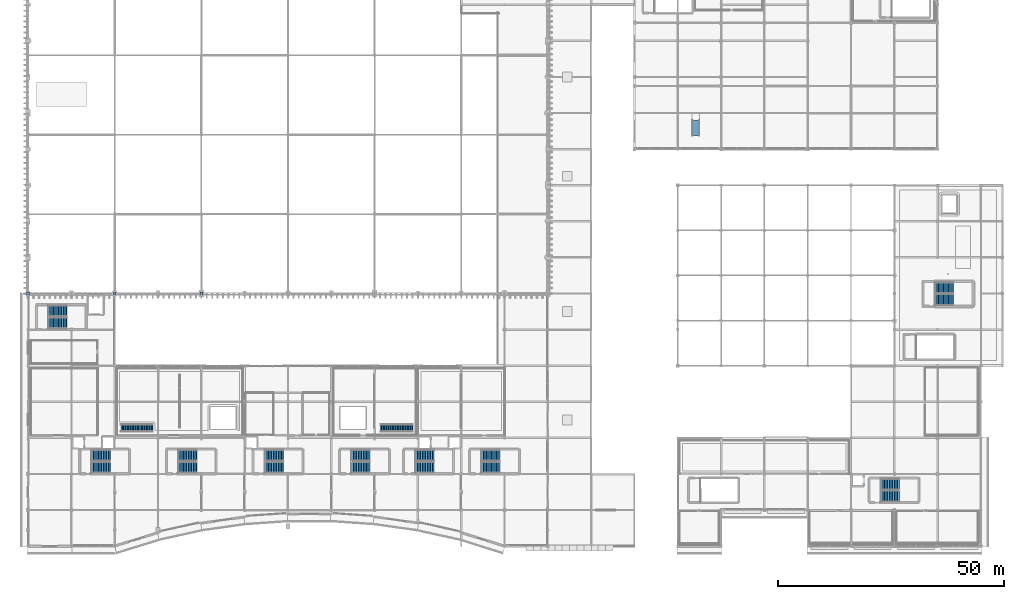
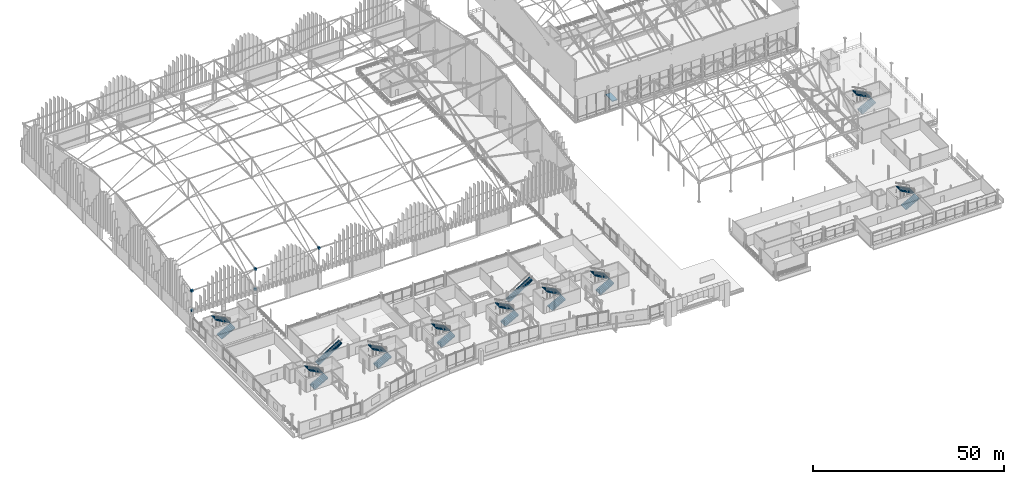
# One storey, part 161 of 193: 20 stair flights, 5 discrete accessories, 1 ramp flight, 12 elements without a shape of their own.
"""IFC4 building model written with IfcOpenShell, lengths in metres."""

import ifcopenshell
import ifcopenshell.guid

model = None  # the IFC model being written
_history = None  # IfcOwnerHistory: only IFC2X3 demands one
_inside = {}  # id of a spatial element -> (the spatial element, [elements in it])
_under = {}  # id of a project, library or spatial element -> (it, [spatial elements below it])
_declared = {}  # id of a project -> (the project, [libraries it declares])
_typed = {}  # id of a type object -> (the type object, [elements of that type])
_made_of = {}  # id of a material, layer set ... -> (it, [elements and type objects made of it])


def new_model(schema):
    """Start an empty IFC model of exactly this schema.

    Asked for "IFC4X3", IfcOpenShell would pick the latest addendum, in which some entities
    have other attributes; the version numbers below select the first issue.
    IFC2X3 requires an IfcOwnerHistory on every rooted entity: one is made here for all.
    """
    global model, _history
    if schema == "IFC4X3":
        model = ifcopenshell.file(schema_version=(4, 3, 0, 0))
    else:
        model = ifcopenshell.file(schema=schema)
    _inside.clear()
    _under.clear()
    _declared.clear()
    _typed.clear()
    _made_of.clear()
    _history = None
    if model.schema == "IFC2X3":
        org = make("IfcOrganization", Name="unknown")
        user = make(
            "IfcPersonAndOrganization",
            ThePerson=make("IfcPerson", FamilyName="unknown"),
            TheOrganization=org,
        )
        app = make(
            "IfcApplication",
            ApplicationDeveloper=org,
            Version="unknown",
            ApplicationFullName="unknown",
            ApplicationIdentifier="unknown",
        )
        _history = make(
            "IfcOwnerHistory",
            OwningUser=user,
            OwningApplication=app,
            ChangeAction="ADDED",
            CreationDate=0,
        )
    return model


def make(cls, **values):
    """One entity of the class cls with the attributes given. An attribute that is None is left unset."""
    return model.create_entity(
        cls, **{name: value for name, value in values.items() if value is not None}
    )


def rooted(cls, **values):
    """An entity with a GlobalId (a new one), such as an element, a storey or a relation."""
    return make(cls, GlobalId=ifcopenshell.guid.new(), OwnerHistory=_history, **values)


def si_unit(unit_type, name, prefix=None):
    """IfcSIUnit, for example si_unit("LENGTHUNIT", "METRE", prefix="MILLI")."""
    return make("IfcSIUnit", UnitType=unit_type, Prefix=prefix, Name=name)


def assignment(units):
    """IfcUnitAssignment: the units of a project."""
    return None if units is None else make("IfcUnitAssignment", Units=units)


def point(xyz):
    """IfcCartesianPoint."""
    return None if xyz is None else make("IfcCartesianPoint", Coordinates=xyz)


def direction(xyz):
    """IfcDirection."""
    return None if xyz is None else make("IfcDirection", DirectionRatios=xyz)


def frame(location, z_axis=None, x_axis=None):
    """IfcAxis2Placement3D, a coordinate frame: its origin and axes. An axis left out is left unset."""
    return make(
        "IfcAxis2Placement3D",
        Location=point(location),
        Axis=direction(z_axis),
        RefDirection=direction(x_axis),
    )


def frame_2d(location, x_axis=None):
    """IfcAxis2Placement2D, a coordinate frame in the plane: its origin and x axis."""
    return make(
        "IfcAxis2Placement2D", Location=point(location), RefDirection=direction(x_axis)
    )


def origin():
    """The frame at (0, 0, 0) with its axes left unset."""
    return frame((0.0, 0.0, 0.0))


def origin_2d():
    """The frame at (0, 0) in the plane with its x axis left unset."""
    return frame_2d((0.0, 0.0))


def place(relative_to, where):
    """IfcLocalPlacement: puts the frame where relative to a parent placement (None: the world)."""
    return make(
        "IfcLocalPlacement", PlacementRelTo=relative_to, RelativePlacement=where
    )


def context(
    kind, dimensions, precision=None, world=None, true_north=None, identifier=None
):
    """IfcGeometricRepresentationContext, for example the 3D "Model" context."""
    return make(
        "IfcGeometricRepresentationContext",
        ContextIdentifier=identifier,
        ContextType=kind,
        CoordinateSpaceDimension=dimensions,
        Precision=precision,
        WorldCoordinateSystem=world,
        TrueNorth=true_north,
    )


def subcontext(parent, identifier, kind, view, scale=None):
    """IfcGeometricRepresentationSubContext, for example "Body" below "Model"."""
    return make(
        "IfcGeometricRepresentationSubContext",
        ContextIdentifier=identifier,
        ContextType=kind,
        ParentContext=parent,
        TargetScale=scale,
        TargetView=view,
    )


def project(units=None, contexts=None):
    """IfcProject with its units and contexts."""
    return rooted(
        "IfcProject",
        Name="project",
        RepresentationContexts=contexts,
        UnitsInContext=assignment(units),
    )


def spatial(cls, under=None, at=None, **own):
    """A site, building, storey or space (cls), placed at a placement, below another one or the project."""
    s = rooted(cls, ObjectPlacement=at, **own)
    if under is not None:
        _under.setdefault(under.id(), (under, []))[1].append(s)
    return s


def polyline(points):
    """IfcPolyline through the points."""
    return make("IfcPolyline", Points=[point(p) for p in points])


def profile(cls, at=None, kind="AREA", **sizes):
    """A parametric profile (cls). Its sizes go by their IFC names, for example OverallWidth=200.0."""
    return make(cls, ProfileType=kind, Position=at, **sizes)


def rectangle(**sizes):
    """IfcRectangleProfileDef."""
    return profile("IfcRectangleProfileDef", **sizes)


def outline(outer, holes=None, kind="AREA"):
    """IfcArbitraryClosedProfileDef: a profile drawn as a closed curve; with holes, ...WithVoids."""
    if holes is None:
        return make("IfcArbitraryClosedProfileDef", ProfileType=kind, OuterCurve=outer)
    return make(
        "IfcArbitraryProfileDefWithVoids",
        ProfileType=kind,
        OuterCurve=outer,
        InnerCurves=holes,
    )


def extrude(swept, where, along, depth):
    """IfcExtrudedAreaSolid: the profile swept, set in the frame where, extruded along a direction by depth."""
    return make(
        "IfcExtrudedAreaSolid",
        SweptArea=swept,
        Position=where,
        ExtrudedDirection=direction(along),
        Depth=depth,
    )


def shape(context_of_items, identifier, shape_type, items):
    """IfcShapeRepresentation: the items that make up one representation, for example the "Body"."""
    return make(
        "IfcShapeRepresentation",
        ContextOfItems=context_of_items,
        RepresentationIdentifier=identifier,
        RepresentationType=shape_type,
        Items=items,
    )


def material(Name=None, Category=None):
    """IfcMaterial."""
    return make("IfcMaterial", Name=Name, Category=Category)


def made_of(thing, what):
    """Note that an element or type object is made of a material, layer set ...; save() writes the relation."""
    if what is not None:
        _made_of.setdefault(what.id(), (what, []))[1].append(thing)
    return thing


def type_object(cls, material=None, **own):
    """A type object (cls), such as IfcWallType, which elements share."""
    return made_of(rooted(cls, **own), material)


def element(
    cls,
    number,
    at=None,
    inside=None,
    cuts=None,
    type_object=None,
    material=None,
    context=None,
    identifier="Body",
    shape_type=None,
    held_by="IfcProductDefinitionShape",
    body=None,
    shapes=None,
    **own,
):
    """One element of the class cls, such as IfcWall. Its Tag is "e" and its number.

    at: its placement. inside: the storey or other place that contains it. cuts: it is an
    opening in that element (IfcRelVoidsElement). A single representation is given by context,
    identifier, shape_type and body (its items); several are given by shapes. held_by: the class
    of the entity that holds the representations. save() writes the other relations.
    """
    e = rooted(cls, Tag="e%d" % number, ObjectPlacement=at, **own)
    if body is not None:
        shapes = [shape(context, identifier, shape_type, body)]
    if shapes is not None:
        e.Representation = make(held_by, Representations=shapes)
    if inside is not None:
        _inside.setdefault(inside.id(), (inside, []))[1].append(e)
    if cuts is not None:
        rooted(
            "IfcRelVoidsElement", RelatingBuildingElement=cuts, RelatedOpeningElement=e
        )
    if type_object is not None:
        _typed.setdefault(type_object.id(), (type_object, []))[1].append(e)
    return made_of(e, material)


def aggregate(whole, parts):
    """IfcRelAggregates: a whole, such as a stair, and the parts it consists of."""
    return rooted("IfcRelAggregates", RelatingObject=whole, RelatedObjects=parts)


def save(model, path):
    """Write the relations noted so far, then the file.

    IfcRelAggregates (storeys below a building ...), IfcRelContainedInSpatialStructure (elements
    in a storey), IfcRelDefinesByType, IfcRelAssociatesMaterial and IfcRelDeclares: one each for
    every whole, place, type object, material and project.
    """
    for whole, parts in _under.values():
        aggregate(whole, parts)
    for where, things in _inside.values():
        rooted(
            "IfcRelContainedInSpatialStructure",
            RelatedElements=things,
            RelatingStructure=where,
        )
    for kind, things in _typed.values():
        rooted("IfcRelDefinesByType", RelatedObjects=things, RelatingType=kind)
    for what, things in _made_of.values():
        rooted("IfcRelAssociatesMaterial", RelatedObjects=things, RelatingMaterial=what)
    for by, libraries in _declared.values():
        rooted("IfcRelDeclares", RelatingContext=by, RelatedDefinitions=libraries)
    model.write(path)


model = new_model("IFC4")

# Units and contexts
model_context = context("Model", 3, precision=1e-05, world=origin(), true_north=direction((0.0, 1.0)))
body_context = subcontext(model_context, "Body", "Model", "MODEL_VIEW")
ifc_project = project(units=[si_unit("LENGTHUNIT", "METRE"), si_unit("AREAUNIT", "SQUARE_METRE"), si_unit("VOLUMEUNIT", "CUBIC_METRE"), si_unit("PLANEANGLEUNIT", "RADIAN"), si_unit("MASSUNIT", "GRAM", prefix="KILO")], contexts=[model_context])

# Site, building, storey
site_placement = place(None, origin())
site = spatial("IfcSite", under=ifc_project, at=site_placement, CompositionType="ELEMENT")
building_placement = place(site_placement, origin())
building = spatial("IfcBuilding", under=site, at=building_placement, Name="Danafjord Basin Convention Centre", CompositionType="ELEMENT")
storey_placement = place(building_placement, frame((0.0, 0.0, 11.39990234375)))
storey = spatial("IfcBuildingStorey", under=building, at=storey_placement, Name="L02", CompositionType="ELEMENT", Elevation=11.39990234375)

# Stair, stair flights
ifc_material_1 = material(Name="Concrete C40/50", Category="concrete")
stair_type_1 = type_object("IfcStairType", Name="STAIR-STR-C01", PredefinedType="TWO_STRAIGHT_RUN_STAIR", material=ifc_material_1)
stair_1_placement = place(storey_placement, origin())
stair_1 = element("IfcStair", 1, at=stair_1_placement, inside=storey, type_object=stair_type_1, Name="L02 West Harbour Core Stair 1", PredefinedType="HALF_TURN_STAIR")
ifc_material_2 = material(Name="Precast concrete C40/50", Category="concrete")
stair_flight_type = type_object("IfcStairFlightType", Name="SFLT-STD", PredefinedType="STRAIGHT", material=ifc_material_2)
stair_flight_1_placement = place(storey_placement, frame((14.1298828125, 17.4599609375, 0.0), z_axis=(0.0, 0.0, 1.0), x_axis=(1.0, 0.0, 0.0)))
stair_flight_1 = element("IfcStairFlight", 2, at=stair_flight_1_placement, type_object=stair_flight_type, Name="ST-01 flight 1", NumberOfRisers=12, NumberOfTreads=11, PredefinedType="STRAIGHT", RiserHeight=0.1875, TreadLength=0.365, context=body_context, shape_type="SweptSolid", body=[
    extrude(outline(polyline([(-0.06494140625, -0.14990234375), (-0.06494140625, -0.00390625), (0.0, -0.00390625), (0.0, 0.1875), (0.364990234375, 0.1875), (0.364990234375, 0.375), (0.72998046875, 0.375), (0.72998046875, 0.5625), (1.094970703125, 0.5625), (1.094970703125, 0.75), (1.4599609375, 0.75), (1.4599609375, 0.9375), (1.824951171875, 0.9375), (1.824951171875, 1.125), (2.18994140625, 1.125), (2.18994140625, 1.3125), (2.554931640625, 1.3125), (2.554931640625, 1.5), (2.919921875, 1.5), (2.919921875, 1.6875), (3.284912109375, 1.6875), (3.284912109375, 1.875), (3.64990234375, 1.875), (3.64990234375, 2.0625), (4.014892578125, 2.0625), (4.014892578125, 2.25), (4.080078125, 2.24609375), (4.080078125, 1.89404296875), (0.328125, -0.14990234375), (-0.06494140625, -0.14990234375)])), frame((0.0, 1.25, 0.0), z_axis=(0.0, -1.0, 0.0), x_axis=(1.0, 0.0, 0.0)), (0.0, 0.0, 1.0), 2.5),
])
stair_flight_2_placement = place(storey_placement, frame((18.14501953125, 20.10009765625, 2.25), z_axis=(0.0, 0.0, 1.0), x_axis=(-1.0, 0.0, 0.0)))
stair_flight_2 = element("IfcStairFlight", 3, at=stair_flight_2_placement, type_object=stair_flight_type, Name="ST-01 flight 2", NumberOfRisers=12, NumberOfTreads=11, PredefinedType="STRAIGHT", RiserHeight=0.1875, TreadLength=0.365, context=body_context, shape_type="SweptSolid", body=[
    extrude(outline(polyline([(-0.06494140625, -0.14990234375), (-0.06494140625, -0.00390625), (0.0, -0.00390625), (0.0, 0.1875), (0.364990234375, 0.1875), (0.364990234375, 0.375), (0.72998046875, 0.375), (0.72998046875, 0.5625), (1.094970703125, 0.5625), (1.094970703125, 0.75), (1.4599609375, 0.75), (1.4599609375, 0.9375), (1.824951171875, 0.9375), (1.824951171875, 1.125), (2.18994140625, 1.125), (2.18994140625, 1.3125), (2.554931640625, 1.3125), (2.554931640625, 1.5), (2.919921875, 1.5), (2.919921875, 1.6875), (3.284912109375, 1.6875), (3.284912109375, 1.875), (3.64990234375, 1.875), (3.64990234375, 2.0625), (4.014892578125, 2.0625), (4.014892578125, 2.25), (4.080078125, 2.24609375), (4.080078125, 1.89404296875), (0.328125, -0.14990234375), (-0.06494140625, -0.14990234375)])), frame((0.0, 1.25, 0.0), z_axis=(0.0, -1.0, 0.0), x_axis=(1.0, 0.0, 0.0)), (0.0, 0.0, 1.0), 2.5),
])
aggregate(stair_1, [stair_flight_1, stair_flight_2])

stair_2_placement = place(storey_placement, origin())
stair_2 = element("IfcStair", 4, at=stair_2_placement, inside=storey, type_object=stair_type_1, Name="L02 Central Harbour Core Stair 1", PredefinedType="HALF_TURN_STAIR")
stair_flight_3_placement = place(storey_placement, frame((85.929931640625, 17.4599609375, 0.0), z_axis=(0.0, 0.0, 1.0), x_axis=(1.0, 0.0, 0.0)))
stair_flight_3 = element("IfcStairFlight", 5, at=stair_flight_3_placement, type_object=stair_flight_type, Name="ST-03 flight 1", NumberOfRisers=12, NumberOfTreads=11, PredefinedType="STRAIGHT", RiserHeight=0.1875, TreadLength=0.365, context=body_context, shape_type="SweptSolid", body=[
    extrude(outline(polyline([(-0.06494140625, -0.14990234375), (-0.06494140625, -0.00390625), (0.0, -0.00390625), (0.0, 0.1875), (0.364990234375, 0.1875), (0.364990234375, 0.375), (0.72998046875, 0.375), (0.72998046875, 0.5625), (1.094970703125, 0.5625), (1.094970703125, 0.75), (1.4599609375, 0.75), (1.4599609375, 0.9375), (1.824951171875, 0.9375), (1.824951171875, 1.125), (2.18994140625, 1.125), (2.18994140625, 1.3125), (2.554931640625, 1.3125), (2.554931640625, 1.5), (2.919921875, 1.5), (2.919921875, 1.6875), (3.284912109375, 1.6875), (3.284912109375, 1.875), (3.64990234375, 1.875), (3.64990234375, 2.0625), (4.014892578125, 2.0625), (4.014892578125, 2.25), (4.080078125, 2.24609375), (4.080078125, 1.89404296875), (0.328125, -0.14990234375), (-0.06494140625, -0.14990234375)])), frame((0.0, 1.25, 0.0), z_axis=(0.0, -1.0, 0.0), x_axis=(1.0, 0.0, 0.0)), (0.0, 0.0, 1.0), 2.5),
])
stair_flight_4_placement = place(storey_placement, frame((89.945068359375, 20.10009765625, 2.25), z_axis=(0.0, 0.0, 1.0), x_axis=(-1.0, 0.0, 0.0)))
stair_flight_4 = element("IfcStairFlight", 6, at=stair_flight_4_placement, type_object=stair_flight_type, Name="ST-03 flight 2", NumberOfRisers=12, NumberOfTreads=11, PredefinedType="STRAIGHT", RiserHeight=0.1875, TreadLength=0.365, context=body_context, shape_type="SweptSolid", body=[
    extrude(outline(polyline([(-0.06494140625, -0.14990234375), (-0.06494140625, -0.00390625), (0.0, -0.00390625), (0.0, 0.1875), (0.364990234375, 0.1875), (0.364990234375, 0.375), (0.72998046875, 0.375), (0.72998046875, 0.5625), (1.094970703125, 0.5625), (1.094970703125, 0.75), (1.4599609375, 0.75), (1.4599609375, 0.9375), (1.824951171875, 0.9375), (1.824951171875, 1.125), (2.18994140625, 1.125), (2.18994140625, 1.3125), (2.554931640625, 1.3125), (2.554931640625, 1.5), (2.919921875, 1.5), (2.919921875, 1.6875), (3.284912109375, 1.6875), (3.284912109375, 1.875), (3.64990234375, 1.875), (3.64990234375, 2.0625), (4.014892578125, 2.0625), (4.014892578125, 2.25), (4.080078125, 2.24609375), (4.080078125, 1.89404296875), (0.328125, -0.14990234375), (-0.06494140625, -0.14990234375)])), frame((0.0, 1.25, 0.0), z_axis=(0.0, -1.0, 0.0), x_axis=(1.0, 0.0, 0.0)), (0.0, 0.0, 1.0), 2.5),
])
aggregate(stair_2, [stair_flight_3, stair_flight_4])

stair_3_placement = place(storey_placement, origin())
stair_3 = element("IfcStair", 7, at=stair_3_placement, inside=storey, type_object=stair_type_1, Name="L02 Mid-Arc Meeting Core Stair 1", PredefinedType="HALF_TURN_STAIR")
stair_flight_5_placement = place(storey_placement, frame((52.530029296875, 17.4599609375, 0.0), z_axis=(0.0, 0.0, 1.0), x_axis=(1.0, 0.0, 0.0)))
stair_flight_5 = element("IfcStairFlight", 8, at=stair_flight_5_placement, type_object=stair_flight_type, Name="ST-05 flight 1", NumberOfRisers=12, NumberOfTreads=11, PredefinedType="STRAIGHT", RiserHeight=0.1875, TreadLength=0.365, context=body_context, shape_type="SweptSolid", body=[
    extrude(outline(polyline([(-0.06494140625, -0.14990234375), (-0.06494140625, -0.00390625), (0.0, -0.00390625), (0.0, 0.1875), (0.364990234375, 0.1875), (0.364990234375, 0.375), (0.72998046875, 0.375), (0.72998046875, 0.5625), (1.094970703125, 0.5625), (1.094970703125, 0.75), (1.4599609375, 0.75), (1.4599609375, 0.9375), (1.824951171875, 0.9375), (1.824951171875, 1.125), (2.18994140625, 1.125), (2.18994140625, 1.3125), (2.554931640625, 1.3125), (2.554931640625, 1.5), (2.919921875, 1.5), (2.919921875, 1.6875), (3.284912109375, 1.6875), (3.284912109375, 1.875), (3.64990234375, 1.875), (3.64990234375, 2.0625), (4.014892578125, 2.0625), (4.014892578125, 2.25), (4.080078125, 2.24609375), (4.080078125, 1.89404296875), (0.328125, -0.14990234375), (-0.06494140625, -0.14990234375)])), frame((0.0, 1.25, 0.0), z_axis=(0.0, -1.0, 0.0), x_axis=(1.0, 0.0, 0.0)), (0.0, 0.0, 1.0), 2.5),
])
stair_flight_6_placement = place(storey_placement, frame((56.544921875, 20.10009765625, 2.25), z_axis=(0.0, 0.0, 1.0), x_axis=(-1.0, 0.0, 0.0)))
stair_flight_6 = element("IfcStairFlight", 9, at=stair_flight_6_placement, type_object=stair_flight_type, Name="ST-05 flight 2", NumberOfRisers=12, NumberOfTreads=11, PredefinedType="STRAIGHT", RiserHeight=0.1875, TreadLength=0.365, context=body_context, shape_type="SweptSolid", body=[
    extrude(outline(polyline([(-0.06494140625, -0.14990234375), (-0.06494140625, -0.00390625), (0.0, -0.00390625), (0.0, 0.1875), (0.364990234375, 0.1875), (0.364990234375, 0.375), (0.72998046875, 0.375), (0.72998046875, 0.5625), (1.094970703125, 0.5625), (1.094970703125, 0.75), (1.4599609375, 0.75), (1.4599609375, 0.9375), (1.824951171875, 0.9375), (1.824951171875, 1.125), (2.18994140625, 1.125), (2.18994140625, 1.3125), (2.554931640625, 1.3125), (2.554931640625, 1.5), (2.919921875, 1.5), (2.919921875, 1.6875), (3.284912109375, 1.6875), (3.284912109375, 1.875), (3.64990234375, 1.875), (3.64990234375, 2.0625), (4.014892578125, 2.0625), (4.014892578125, 2.25), (4.080078125, 2.24609375), (4.080078125, 1.89404296875), (0.328125, -0.14990234375), (-0.06494140625, -0.14990234375)])), frame((0.0, 1.25, 0.0), z_axis=(0.0, -1.0, 0.0), x_axis=(1.0, 0.0, 0.0)), (0.0, 0.0, 1.0), 2.5),
])
aggregate(stair_3, [stair_flight_5, stair_flight_6])

stair_4_placement = place(storey_placement, origin())
stair_4 = element("IfcStair", 10, at=stair_4_placement, inside=storey, type_object=stair_type_1, Name="L02 West Exhibition Core Stair 1", PredefinedType="HALF_TURN_STAIR")
stair_flight_7_placement = place(storey_placement, frame((4.530029296875, 49.4599609375, 0.0), z_axis=(0.0, 0.0, 1.0), x_axis=(1.0, 0.0, 0.0)))
stair_flight_7 = element("IfcStairFlight", 11, at=stair_flight_7_placement, type_object=stair_flight_type, Name="ST-07 flight 1", NumberOfRisers=12, NumberOfTreads=11, PredefinedType="STRAIGHT", RiserHeight=0.1875, TreadLength=0.365, context=body_context, shape_type="SweptSolid", body=[
    extrude(outline(polyline([(-0.06494140625, -0.14990234375), (-0.06494140625, -0.00390625), (0.0, -0.00390625), (0.0, 0.1875), (0.364990234375, 0.1875), (0.364990234375, 0.375), (0.72998046875, 0.375), (0.72998046875, 0.5625), (1.094970703125, 0.5625), (1.094970703125, 0.75), (1.4599609375, 0.75), (1.4599609375, 0.9375), (1.824951171875, 0.9375), (1.824951171875, 1.125), (2.18994140625, 1.125), (2.18994140625, 1.3125), (2.554931640625, 1.3125), (2.554931640625, 1.5), (2.919921875, 1.5), (2.919921875, 1.6875), (3.284912109375, 1.6875), (3.284912109375, 1.875), (3.64990234375, 1.875), (3.64990234375, 2.0625), (4.014892578125, 2.0625), (4.014892578125, 2.25), (4.080078125, 2.24609375), (4.080078125, 1.89404296875), (0.328125, -0.14990234375), (-0.06494140625, -0.14990234375)])), frame((0.0, 1.25, 0.0), z_axis=(0.0, -1.0, 0.0), x_axis=(1.0, 0.0, 0.0)), (0.0, 0.0, 1.0), 2.5),
])
stair_flight_8_placement = place(storey_placement, frame((8.544921875, 52.10009765625, 2.25), z_axis=(0.0, 0.0, 1.0), x_axis=(-1.0, 0.0, 0.0)))
stair_flight_8 = element("IfcStairFlight", 12, at=stair_flight_8_placement, type_object=stair_flight_type, Name="ST-07 flight 2", NumberOfRisers=12, NumberOfTreads=11, PredefinedType="STRAIGHT", RiserHeight=0.1875, TreadLength=0.365, context=body_context, shape_type="SweptSolid", body=[
    extrude(outline(polyline([(-0.06494140625, -0.14990234375), (-0.06494140625, -0.00390625), (0.0, -0.00390625), (0.0, 0.1875), (0.364990234375, 0.1875), (0.364990234375, 0.375), (0.72998046875, 0.375), (0.72998046875, 0.5625), (1.094970703125, 0.5625), (1.094970703125, 0.75), (1.4599609375, 0.75), (1.4599609375, 0.9375), (1.824951171875, 0.9375), (1.824951171875, 1.125), (2.18994140625, 1.125), (2.18994140625, 1.3125), (2.554931640625, 1.3125), (2.554931640625, 1.5), (2.919921875, 1.5), (2.919921875, 1.6875), (3.284912109375, 1.6875), (3.284912109375, 1.875), (3.64990234375, 1.875), (3.64990234375, 2.0625), (4.014892578125, 2.0625), (4.014892578125, 2.25), (4.080078125, 2.24609375), (4.080078125, 1.89404296875), (0.328125, -0.14990234375), (-0.06494140625, -0.14990234375)])), frame((0.0, 1.25, 0.0), z_axis=(0.0, -1.0, 0.0), x_axis=(1.0, 0.0, 0.0)), (0.0, 0.0, 1.0), 2.5),
])
aggregate(stair_4, [stair_flight_7, stair_flight_8])

stair_5_placement = place(storey_placement, origin())
stair_5 = element("IfcStair", 13, at=stair_5_placement, inside=storey, type_object=stair_type_1, Name="L02 Ballroom East Core Stair 1", PredefinedType="HALF_TURN_STAIR")
stair_flight_9_placement = place(storey_placement, frame((201.080078125, 54.610107421875, 0.0), z_axis=(0.0, 0.0, 1.0), x_axis=(1.0, 0.0, 0.0)))
stair_flight_9 = element("IfcStairFlight", 14, at=stair_flight_9_placement, type_object=stair_flight_type, Name="ST-13 flight 1", NumberOfRisers=12, NumberOfTreads=11, PredefinedType="STRAIGHT", RiserHeight=0.1875, TreadLength=0.365, context=body_context, shape_type="SweptSolid", body=[
    extrude(outline(polyline([(-0.06494140625, -0.14990234375), (-0.06494140625, -0.00390625), (0.0, -0.00390625), (0.0, 0.1875), (0.364990234375, 0.1875), (0.364990234375, 0.375), (0.72998046875, 0.375), (0.72998046875, 0.5625), (1.094970703125, 0.5625), (1.094970703125, 0.75), (1.4599609375, 0.75), (1.4599609375, 0.9375), (1.824951171875, 0.9375), (1.824951171875, 1.125), (2.18994140625, 1.125), (2.18994140625, 1.3125), (2.554931640625, 1.3125), (2.554931640625, 1.5), (2.919921875, 1.5), (2.919921875, 1.6875), (3.284912109375, 1.6875), (3.284912109375, 1.875), (3.64990234375, 1.875), (3.64990234375, 2.0625), (4.014892578125, 2.0625), (4.014892578125, 2.25), (4.080078125, 2.24609375), (4.080078125, 1.89404296875), (0.328125, -0.14990234375), (-0.06494140625, -0.14990234375)])), frame((0.0, 1.25, 0.0), z_axis=(0.0, -1.0, 0.0), x_axis=(1.0, 0.0, 0.0)), (0.0, 0.0, 1.0), 2.5),
])
stair_flight_10_placement = place(storey_placement, frame((205.094970703125, 57.25, 2.25), z_axis=(0.0, 0.0, 1.0), x_axis=(-1.0, 0.0, 0.0)))
stair_flight_10 = element("IfcStairFlight", 15, at=stair_flight_10_placement, type_object=stair_flight_type, Name="ST-13 flight 2", NumberOfRisers=12, NumberOfTreads=11, PredefinedType="STRAIGHT", RiserHeight=0.1875, TreadLength=0.365, context=body_context, shape_type="SweptSolid", body=[
    extrude(outline(polyline([(-0.06494140625, -0.14990234375), (-0.06494140625, -0.00390625), (0.0, -0.00390625), (0.0, 0.1875), (0.364990234375, 0.1875), (0.364990234375, 0.375), (0.72998046875, 0.375), (0.72998046875, 0.5625), (1.094970703125, 0.5625), (1.094970703125, 0.75), (1.4599609375, 0.75), (1.4599609375, 0.9375), (1.824951171875, 0.9375), (1.824951171875, 1.125), (2.18994140625, 1.125), (2.18994140625, 1.3125), (2.554931640625, 1.3125), (2.554931640625, 1.5), (2.919921875, 1.5), (2.919921875, 1.6875), (3.284912109375, 1.6875), (3.284912109375, 1.875), (3.64990234375, 1.875), (3.64990234375, 2.0625), (4.014892578125, 2.0625), (4.014892578125, 2.25), (4.080078125, 2.24609375), (4.080078125, 1.89404296875), (0.328125, -0.14990234375), (-0.06494140625, -0.14990234375)])), frame((0.0, 1.25, 0.0), z_axis=(0.0, -1.0, 0.0), x_axis=(1.0, 0.0, 0.0)), (0.0, 0.0, 1.0), 2.5),
])
aggregate(stair_5, [stair_flight_9, stair_flight_10])

stair_6_placement = place(storey_placement, origin())
stair_6 = element("IfcStair", 16, at=stair_6_placement, inside=storey, type_object=stair_type_1, Name="L02 Harbour Pavilion Core Stair 1", PredefinedType="HALF_TURN_STAIR")
stair_flight_11_placement = place(storey_placement, frame((189.080078125, 11.06005859375, 0.0), z_axis=(0.0, 0.0, 1.0), x_axis=(1.0, 0.0, 0.0)))
stair_flight_11 = element("IfcStairFlight", 17, at=stair_flight_11_placement, type_object=stair_flight_type, Name="ST-15 flight 1", NumberOfRisers=12, NumberOfTreads=11, PredefinedType="STRAIGHT", RiserHeight=0.1875, TreadLength=0.365, context=body_context, shape_type="SweptSolid", body=[
    extrude(outline(polyline([(-0.06494140625, -0.14990234375), (-0.06494140625, -0.00390625), (0.0, -0.00390625), (0.0, 0.1875), (0.364990234375, 0.1875), (0.364990234375, 0.375), (0.72998046875, 0.375), (0.72998046875, 0.5625), (1.094970703125, 0.5625), (1.094970703125, 0.75), (1.4599609375, 0.75), (1.4599609375, 0.9375), (1.824951171875, 0.9375), (1.824951171875, 1.125), (2.18994140625, 1.125), (2.18994140625, 1.3125), (2.554931640625, 1.3125), (2.554931640625, 1.5), (2.919921875, 1.5), (2.919921875, 1.6875), (3.284912109375, 1.6875), (3.284912109375, 1.875), (3.64990234375, 1.875), (3.64990234375, 2.0625), (4.014892578125, 2.0625), (4.014892578125, 2.25), (4.080078125, 2.24609375), (4.080078125, 1.89404296875), (0.328125, -0.14990234375), (-0.06494140625, -0.14990234375)])), frame((0.0, 1.25, 0.0), z_axis=(0.0, -1.0, 0.0), x_axis=(1.0, 0.0, 0.0)), (0.0, 0.0, 1.0), 2.5),
])
stair_flight_12_placement = place(storey_placement, frame((193.094970703125, 13.699951171875, 2.25), z_axis=(0.0, 0.0, 1.0), x_axis=(-1.0, 0.0, 0.0)))
stair_flight_12 = element("IfcStairFlight", 18, at=stair_flight_12_placement, type_object=stair_flight_type, Name="ST-15 flight 2", NumberOfRisers=12, NumberOfTreads=11, PredefinedType="STRAIGHT", RiserHeight=0.1875, TreadLength=0.365, context=body_context, shape_type="SweptSolid", body=[
    extrude(outline(polyline([(-0.06494140625, -0.14990234375), (-0.06494140625, -0.00390625), (0.0, -0.00390625), (0.0, 0.1875), (0.364990234375, 0.1875), (0.364990234375, 0.375), (0.72998046875, 0.375), (0.72998046875, 0.5625), (1.094970703125, 0.5625), (1.094970703125, 0.75), (1.4599609375, 0.75), (1.4599609375, 0.9375), (1.824951171875, 0.9375), (1.824951171875, 1.125), (2.18994140625, 1.125), (2.18994140625, 1.3125), (2.554931640625, 1.3125), (2.554931640625, 1.5), (2.919921875, 1.5), (2.919921875, 1.6875), (3.284912109375, 1.6875), (3.284912109375, 1.875), (3.64990234375, 1.875), (3.64990234375, 2.0625), (4.014892578125, 2.0625), (4.014892578125, 2.25), (4.080078125, 2.24609375), (4.080078125, 1.89404296875), (0.328125, -0.14990234375), (-0.06494140625, -0.14990234375)])), frame((0.0, 1.25, 0.0), z_axis=(0.0, -1.0, 0.0), x_axis=(1.0, 0.0, 0.0)), (0.0, 0.0, 1.0), 2.5),
])
aggregate(stair_6, [stair_flight_11, stair_flight_12])

stair_7_placement = place(storey_placement, origin())
stair_7 = element("IfcStair", 19, at=stair_7_placement, inside=storey, type_object=stair_type_1, Name="L02 West Harbour Escape Stair 2", PredefinedType="HALF_TURN_STAIR")
stair_flight_13_placement = place(storey_placement, frame((33.330078125, 17.4599609375, 0.0), z_axis=(0.0, 0.0, 1.0), x_axis=(1.0, 0.0, 0.0)))
stair_flight_13 = element("IfcStairFlight", 20, at=stair_flight_13_placement, type_object=stair_flight_type, Name="ST-02 flight 1", NumberOfRisers=12, NumberOfTreads=11, PredefinedType="STRAIGHT", RiserHeight=0.1875, TreadLength=0.365, context=body_context, shape_type="SweptSolid", body=[
    extrude(outline(polyline([(-0.06494140625, -0.14990234375), (-0.06494140625, -0.00390625), (0.0, -0.00390625), (0.0, 0.1875), (0.364990234375, 0.1875), (0.364990234375, 0.375), (0.72998046875, 0.375), (0.72998046875, 0.5625), (1.094970703125, 0.5625), (1.094970703125, 0.75), (1.4599609375, 0.75), (1.4599609375, 0.9375), (1.824951171875, 0.9375), (1.824951171875, 1.125), (2.18994140625, 1.125), (2.18994140625, 1.3125), (2.554931640625, 1.3125), (2.554931640625, 1.5), (2.919921875, 1.5), (2.919921875, 1.6875), (3.284912109375, 1.6875), (3.284912109375, 1.875), (3.64990234375, 1.875), (3.64990234375, 2.0625), (4.014892578125, 2.0625), (4.014892578125, 2.25), (4.080078125, 2.24609375), (4.080078125, 1.89404296875), (0.328125, -0.14990234375), (-0.06494140625, -0.14990234375)])), frame((0.0, 1.25, 0.0), z_axis=(0.0, -1.0, 0.0), x_axis=(1.0, 0.0, 0.0)), (0.0, 0.0, 1.0), 2.5),
])
stair_flight_14_placement = place(storey_placement, frame((37.344970703125, 20.10009765625, 2.25), z_axis=(0.0, 0.0, 1.0), x_axis=(-1.0, 0.0, 0.0)))
stair_flight_14 = element("IfcStairFlight", 21, at=stair_flight_14_placement, type_object=stair_flight_type, Name="ST-02 flight 2", NumberOfRisers=12, NumberOfTreads=11, PredefinedType="STRAIGHT", RiserHeight=0.1875, TreadLength=0.365, context=body_context, shape_type="SweptSolid", body=[
    extrude(outline(polyline([(-0.06494140625, -0.14990234375), (-0.06494140625, -0.00390625), (0.0, -0.00390625), (0.0, 0.1875), (0.364990234375, 0.1875), (0.364990234375, 0.375), (0.72998046875, 0.375), (0.72998046875, 0.5625), (1.094970703125, 0.5625), (1.094970703125, 0.75), (1.4599609375, 0.75), (1.4599609375, 0.9375), (1.824951171875, 0.9375), (1.824951171875, 1.125), (2.18994140625, 1.125), (2.18994140625, 1.3125), (2.554931640625, 1.3125), (2.554931640625, 1.5), (2.919921875, 1.5), (2.919921875, 1.6875), (3.284912109375, 1.6875), (3.284912109375, 1.875), (3.64990234375, 1.875), (3.64990234375, 2.0625), (4.014892578125, 2.0625), (4.014892578125, 2.25), (4.080078125, 2.24609375), (4.080078125, 1.89404296875), (0.328125, -0.14990234375), (-0.06494140625, -0.14990234375)])), frame((0.0, 1.25, 0.0), z_axis=(0.0, -1.0, 0.0), x_axis=(1.0, 0.0, 0.0)), (0.0, 0.0, 1.0), 2.5),
])
aggregate(stair_7, [stair_flight_13, stair_flight_14])

stair_8_placement = place(storey_placement, origin())
stair_8 = element("IfcStair", 22, at=stair_8_placement, inside=storey, type_object=stair_type_1, Name="L02 East Harbour Escape Stair 2", PredefinedType="HALF_TURN_STAIR")
stair_flight_15_placement = place(storey_placement, frame((100.530029296875, 17.4599609375, 0.0), z_axis=(0.0, 0.0, 1.0), x_axis=(1.0, 0.0, 0.0)))
stair_flight_15 = element("IfcStairFlight", 23, at=stair_flight_15_placement, type_object=stair_flight_type, Name="ST-04 flight 1", NumberOfRisers=12, NumberOfTreads=11, PredefinedType="STRAIGHT", RiserHeight=0.1875, TreadLength=0.365, context=body_context, shape_type="SweptSolid", body=[
    extrude(outline(polyline([(-0.06494140625, -0.14990234375), (-0.06494140625, -0.00390625), (0.0, -0.00390625), (0.0, 0.1875), (0.364990234375, 0.1875), (0.364990234375, 0.375), (0.72998046875, 0.375), (0.72998046875, 0.5625), (1.094970703125, 0.5625), (1.094970703125, 0.75), (1.4599609375, 0.75), (1.4599609375, 0.9375), (1.824951171875, 0.9375), (1.824951171875, 1.125), (2.18994140625, 1.125), (2.18994140625, 1.3125), (2.554931640625, 1.3125), (2.554931640625, 1.5), (2.919921875, 1.5), (2.919921875, 1.6875), (3.284912109375, 1.6875), (3.284912109375, 1.875), (3.64990234375, 1.875), (3.64990234375, 2.0625), (4.014892578125, 2.0625), (4.014892578125, 2.25), (4.080078125, 2.24609375), (4.080078125, 1.89404296875), (0.328125, -0.14990234375), (-0.06494140625, -0.14990234375)])), frame((0.0, 1.25, 0.0), z_axis=(0.0, -1.0, 0.0), x_axis=(1.0, 0.0, 0.0)), (0.0, 0.0, 1.0), 2.5),
])
stair_flight_16_placement = place(storey_placement, frame((104.544921875, 20.10009765625, 2.25), z_axis=(0.0, 0.0, 1.0), x_axis=(-1.0, 0.0, 0.0)))
stair_flight_16 = element("IfcStairFlight", 24, at=stair_flight_16_placement, type_object=stair_flight_type, Name="ST-04 flight 2", NumberOfRisers=12, NumberOfTreads=11, PredefinedType="STRAIGHT", RiserHeight=0.1875, TreadLength=0.365, context=body_context, shape_type="SweptSolid", body=[
    extrude(outline(polyline([(-0.06494140625, -0.14990234375), (-0.06494140625, -0.00390625), (0.0, -0.00390625), (0.0, 0.1875), (0.364990234375, 0.1875), (0.364990234375, 0.375), (0.72998046875, 0.375), (0.72998046875, 0.5625), (1.094970703125, 0.5625), (1.094970703125, 0.75), (1.4599609375, 0.75), (1.4599609375, 0.9375), (1.824951171875, 0.9375), (1.824951171875, 1.125), (2.18994140625, 1.125), (2.18994140625, 1.3125), (2.554931640625, 1.3125), (2.554931640625, 1.5), (2.919921875, 1.5), (2.919921875, 1.6875), (3.284912109375, 1.6875), (3.284912109375, 1.875), (3.64990234375, 1.875), (3.64990234375, 2.0625), (4.014892578125, 2.0625), (4.014892578125, 2.25), (4.080078125, 2.24609375), (4.080078125, 1.89404296875), (0.328125, -0.14990234375), (-0.06494140625, -0.14990234375)])), frame((0.0, 1.25, 0.0), z_axis=(0.0, -1.0, 0.0), x_axis=(1.0, 0.0, 0.0)), (0.0, 0.0, 1.0), 2.5),
])
aggregate(stair_8, [stair_flight_15, stair_flight_16])

stair_9_placement = place(storey_placement, origin())
stair_9 = element("IfcStair", 25, at=stair_9_placement, inside=storey, type_object=stair_type_1, Name="L02 Mid-Arc Escape Stair 2", PredefinedType="HALF_TURN_STAIR")
stair_flight_17_placement = place(storey_placement, frame((71.72998046875, 17.4599609375, 0.0), z_axis=(0.0, 0.0, 1.0), x_axis=(1.0, 0.0, 0.0)))
stair_flight_17 = element("IfcStairFlight", 26, at=stair_flight_17_placement, type_object=stair_flight_type, Name="ST-06 flight 1", NumberOfRisers=12, NumberOfTreads=11, PredefinedType="STRAIGHT", RiserHeight=0.1875, TreadLength=0.365, context=body_context, shape_type="SweptSolid", body=[
    extrude(outline(polyline([(-0.06494140625, -0.14990234375), (-0.06494140625, -0.00390625), (0.0, -0.00390625), (0.0, 0.1875), (0.364990234375, 0.1875), (0.364990234375, 0.375), (0.72998046875, 0.375), (0.72998046875, 0.5625), (1.094970703125, 0.5625), (1.094970703125, 0.75), (1.4599609375, 0.75), (1.4599609375, 0.9375), (1.824951171875, 0.9375), (1.824951171875, 1.125), (2.18994140625, 1.125), (2.18994140625, 1.3125), (2.554931640625, 1.3125), (2.554931640625, 1.5), (2.919921875, 1.5), (2.919921875, 1.6875), (3.284912109375, 1.6875), (3.284912109375, 1.875), (3.64990234375, 1.875), (3.64990234375, 2.0625), (4.014892578125, 2.0625), (4.014892578125, 2.25), (4.080078125, 2.24609375), (4.080078125, 1.89404296875), (0.328125, -0.14990234375), (-0.06494140625, -0.14990234375)])), frame((0.0, 1.25, 0.0), z_axis=(0.0, -1.0, 0.0), x_axis=(1.0, 0.0, 0.0)), (0.0, 0.0, 1.0), 2.5),
])
stair_flight_18_placement = place(storey_placement, frame((75.7451171875, 20.10009765625, 2.25), z_axis=(0.0, 0.0, 1.0), x_axis=(-1.0, 0.0, 0.0)))
stair_flight_18 = element("IfcStairFlight", 27, at=stair_flight_18_placement, type_object=stair_flight_type, Name="ST-06 flight 2", NumberOfRisers=12, NumberOfTreads=11, PredefinedType="STRAIGHT", RiserHeight=0.1875, TreadLength=0.365, context=body_context, shape_type="SweptSolid", body=[
    extrude(outline(polyline([(-0.06494140625, -0.14990234375), (-0.06494140625, -0.00390625), (0.0, -0.00390625), (0.0, 0.1875), (0.364990234375, 0.1875), (0.364990234375, 0.375), (0.72998046875, 0.375), (0.72998046875, 0.5625), (1.094970703125, 0.5625), (1.094970703125, 0.75), (1.4599609375, 0.75), (1.4599609375, 0.9375), (1.824951171875, 0.9375), (1.824951171875, 1.125), (2.18994140625, 1.125), (2.18994140625, 1.3125), (2.554931640625, 1.3125), (2.554931640625, 1.5), (2.919921875, 1.5), (2.919921875, 1.6875), (3.284912109375, 1.6875), (3.284912109375, 1.875), (3.64990234375, 1.875), (3.64990234375, 2.0625), (4.014892578125, 2.0625), (4.014892578125, 2.25), (4.080078125, 2.24609375), (4.080078125, 1.89404296875), (0.328125, -0.14990234375), (-0.06494140625, -0.14990234375)])), frame((0.0, 1.25, 0.0), z_axis=(0.0, -1.0, 0.0), x_axis=(1.0, 0.0, 0.0)), (0.0, 0.0, 1.0), 2.5),
])
aggregate(stair_9, [stair_flight_17, stair_flight_18])

# Stair, stair flight
stair_type_2 = type_object("IfcStairType", Name="STAIR-STR-F01", PredefinedType="STRAIGHT_RUN_STAIR", material=ifc_material_1)
stair_10_placement = place(storey_placement, origin())
stair_10 = element("IfcStair", 28, at=stair_10_placement, inside=storey, type_object=stair_type_2, Name="West Concourse Terrace Stair", PredefinedType="STRAIGHT_RUN_STAIR")
stair_flight_19_placement = place(storey_placement, frame((20.60009765625, 26.199951171875, 0.0), z_axis=(0.0, 0.0, 1.0), x_axis=(1.0, 0.0, 0.0)))
stair_flight_19 = element("IfcStairFlight", 29, at=stair_flight_19_placement, type_object=stair_flight_type, Name="West Concourse Terrace Stair flight", NumberOfRisers=26, NumberOfTreads=25, PredefinedType="STRAIGHT", RiserHeight=0.173077, TreadLength=0.28, context=body_context, shape_type="SweptSolid", body=[
    extrude(outline(polyline([(-0.06494140625, -0.159912109375), (-0.06494140625, -0.00390625), (0.0, -0.00390625), (0.0, 0.173095703125), (0.280029296875, 0.173095703125), (0.280029296875, 0.34619140625), (0.56005859375, 0.34619140625), (0.56005859375, 0.519287109375), (0.840087890625, 0.519287109375), (0.840087890625, 0.6923828125), (1.1201171875, 0.6923828125), (1.1201171875, 0.865478515625), (1.39990234375, 0.865478515625), (1.39990234375, 1.03857421875), (1.679931640625, 1.03857421875), (1.679931640625, 1.21142578125), (1.9599609375, 1.21142578125), (1.9599609375, 1.384521484375), (2.239990234375, 1.384521484375), (2.239990234375, 1.5576171875), (2.52001953125, 1.5576171875), (2.52001953125, 1.730712890625), (2.800048828125, 1.730712890625), (2.800048828125, 1.90380859375), (3.080078125, 1.90380859375), (3.080078125, 2.076904296875), (3.360107421875, 2.076904296875), (3.360107421875, 2.25), (3.639892578125, 2.25), (3.639892578125, 2.423095703125), (3.919921875, 2.423095703125), (3.919921875, 2.59619140625), (4.199951171875, 2.59619140625), (4.199951171875, 2.769287109375), (4.47998046875, 2.769287109375), (4.47998046875, 2.9423828125), (4.760009765625, 2.9423828125), (4.760009765625, 3.115478515625), (5.0400390625, 3.115478515625), (5.0400390625, 3.28857421875), (5.320068359375, 3.28857421875), (5.320068359375, 3.46142578125), (5.60009765625, 3.46142578125), (5.60009765625, 3.634521484375), (5.8798828125, 3.634521484375), (5.8798828125, 3.8076171875), (6.159912109375, 3.8076171875), (6.159912109375, 3.980712890625), (6.43994140625, 3.980712890625), (6.43994140625, 4.15380859375), (6.719970703125, 4.15380859375), (6.719970703125, 4.326904296875), (7.0, 4.326904296875), (7.0, 4.5), (7.06494140625, 4.49609375), (7.06494140625, 4.068359375), (0.41845703125, -0.159912109375), (-0.06494140625, -0.159912109375)])), frame((0.0, 0.824951171875, 0.0), z_axis=(0.0, -1.0, 0.0), x_axis=(1.0, 0.0, 0.0)), (0.0, 0.0, 1.0), 1.64990234375),
])
aggregate(stair_10, [stair_flight_19])

stair_11_placement = place(storey_placement, origin())
stair_11 = element("IfcStair", 30, at=stair_11_placement, inside=storey, type_object=stair_type_2, Name="East Concourse Terrace Stair", PredefinedType="STRAIGHT_RUN_STAIR")
stair_flight_20_placement = place(storey_placement, frame((78.199951171875, 26.199951171875, 0.0), z_axis=(0.0, 0.0, 1.0), x_axis=(1.0, 0.0, 0.0)))
stair_flight_20 = element("IfcStairFlight", 31, at=stair_flight_20_placement, type_object=stair_flight_type, Name="East Concourse Terrace Stair flight", NumberOfRisers=26, NumberOfTreads=25, PredefinedType="STRAIGHT", RiserHeight=0.173077, TreadLength=0.28, context=body_context, shape_type="SweptSolid", body=[
    extrude(outline(polyline([(-0.06494140625, -0.159912109375), (-0.06494140625, -0.00390625), (0.0, -0.00390625), (0.0, 0.173095703125), (0.280029296875, 0.173095703125), (0.280029296875, 0.34619140625), (0.56005859375, 0.34619140625), (0.56005859375, 0.519287109375), (0.840087890625, 0.519287109375), (0.840087890625, 0.6923828125), (1.1201171875, 0.6923828125), (1.1201171875, 0.865478515625), (1.39990234375, 0.865478515625), (1.39990234375, 1.03857421875), (1.679931640625, 1.03857421875), (1.679931640625, 1.21142578125), (1.9599609375, 1.21142578125), (1.9599609375, 1.384521484375), (2.239990234375, 1.384521484375), (2.239990234375, 1.5576171875), (2.52001953125, 1.5576171875), (2.52001953125, 1.730712890625), (2.800048828125, 1.730712890625), (2.800048828125, 1.90380859375), (3.080078125, 1.90380859375), (3.080078125, 2.076904296875), (3.360107421875, 2.076904296875), (3.360107421875, 2.25), (3.639892578125, 2.25), (3.639892578125, 2.423095703125), (3.919921875, 2.423095703125), (3.919921875, 2.59619140625), (4.199951171875, 2.59619140625), (4.199951171875, 2.769287109375), (4.47998046875, 2.769287109375), (4.47998046875, 2.9423828125), (4.760009765625, 2.9423828125), (4.760009765625, 3.115478515625), (5.0400390625, 3.115478515625), (5.0400390625, 3.28857421875), (5.320068359375, 3.28857421875), (5.320068359375, 3.46142578125), (5.60009765625, 3.46142578125), (5.60009765625, 3.634521484375), (5.8798828125, 3.634521484375), (5.8798828125, 3.8076171875), (6.159912109375, 3.8076171875), (6.159912109375, 3.980712890625), (6.43994140625, 3.980712890625), (6.43994140625, 4.15380859375), (6.719970703125, 4.15380859375), (6.719970703125, 4.326904296875), (7.0, 4.326904296875), (7.0, 4.5), (7.06494140625, 4.49609375), (7.06494140625, 4.068359375), (0.41845703125, -0.159912109375), (-0.06494140625, -0.159912109375)])), frame((0.0, 0.824951171875, 0.0), z_axis=(0.0, -1.0, 0.0), x_axis=(1.0, 0.0, 0.0)), (0.0, 0.0, 1.0), 1.64990234375),
])
aggregate(stair_11, [stair_flight_20])

# Ramp, ramp flight
ifc_material_3 = material(Name="Concrete C35/45", Category="concrete")
ramp_type = type_object("IfcRampType", Name="RMP-ACC", PredefinedType="STRAIGHT_RUN_RAMP", material=ifc_material_3)
ramp_placement = place(storey_placement, origin())
ramp = element("IfcRamp", 32, at=ramp_placement, inside=storey, type_object=ramp_type, Name="L02 Accessible Threshold Ramp AR-06", PredefinedType="STRAIGHT_RUN_RAMP")
ramp_flight_type = type_object("IfcRampFlightType", Name="RFLT-ACC", PredefinedType="STRAIGHT", material=ifc_material_3)
ramp_flight_placement = place(storey_placement, frame((148.0, 91.0, 0.0), z_axis=(0.0, 0.0, 1.0), x_axis=(0.0, 1.0, 0.0)))
ramp_flight = element("IfcRampFlight", 33, at=ramp_flight_placement, type_object=ramp_flight_type, Name="Accessible Ramp AR-06 Flight", PredefinedType="STRAIGHT", context=body_context, shape_type="SweptSolid", body=[
    extrude(outline(polyline([(0.0, 0.0), (3.39990234375, 0.199951171875), (3.39990234375, 0.0), (0.0, -0.199951171875), (0.0, 0.0)])), frame((0.0, 0.800048828125, 0.0), z_axis=(0.0, -1.0, 0.0), x_axis=(1.0, 0.0, 0.0)), (0.0, 0.0, 1.0), 1.60009765625),
])
aggregate(ramp, [ramp_flight])

# Discrete accessories
ifc_material_4 = material(Name="Steel S355", Category="steel")
discrete_accessory_type = type_object("IfcDiscreteAccessoryType", Name="ACC-SF-HUB", PredefinedType="BRACKET", material=ifc_material_4)
for number, where, z_axis, x_axis, name in (
    (34, (0.0, 56.0, 11.93017578125), (0.0, 0.0, 1.0), (1.0, 0.0, 0.0), "V1 space-frame upper node hub"),
    (35, (0.0, 56.0, 5.72998046875), (0.0, 0.0, 1.0), (1.0, 0.0, 0.0), "V1 space-frame lower node hub"),
    (36, (19.199951171875, 56.0, 12.1552734375), (0.0, 0.0, 1.0), (1.0, 0.0, 0.0), "V1 space-frame upper node hub"),
    (37, (19.199951171875, 56.0, 5.72998046875), (0.0, 0.0, 1.0), (1.0, 0.0, 0.0), "V1 space-frame lower node hub"),
    (38, (38.39990234375, 56.0, 12.1552734375), (0.0, 0.0, 1.0), (1.0, 0.0, 0.0), "V1 space-frame upper node hub"),
):
    element("IfcDiscreteAccessory", number, at=place(storey_placement, frame(where, z_axis=z_axis, x_axis=x_axis)), inside=storey, type_object=discrete_accessory_type, Name=name, PredefinedType="BRACKET", context=body_context, shape_type="SweptSolid", body=[
        extrude(rectangle(XDim=0.639892578125, YDim=0.639892578125, at=origin_2d()), origin(), (0.0, 0.0, 1.0), 0.639892578125),
    ])

save(model, "model.ifc")
